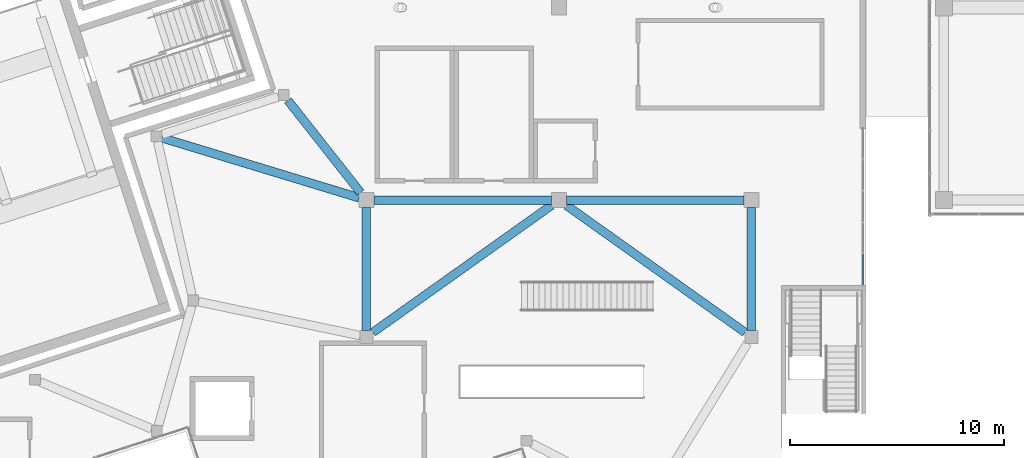
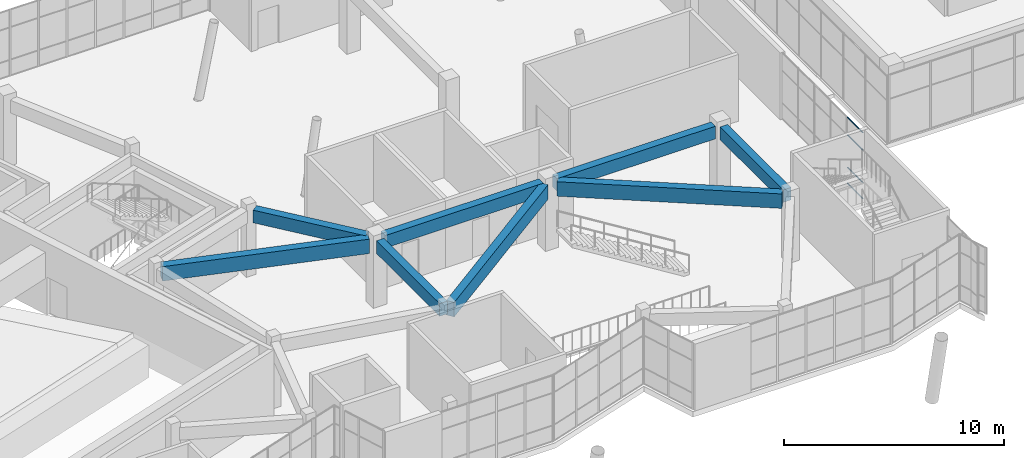
# One storey, part 13 of 66: 8 beams, 4 members, 1 element without a shape of its own.
"""IFC4 building model written with IfcOpenShell, lengths in metres."""

from ifc_helpers import new_model, si_unit, direction, frame, origin, origin_2d, place, context, subcontext, project, spatial, rectangle, hollow_rectangle, extrude, material, layer, layer_set, material_profile, profile_set, type_object, element, aggregate, save


model = new_model("IFC4")

# Units and contexts
model_context = context("Model", 3, precision=1e-05, world=origin(), true_north=direction((0.0, 1.0)))
body_context = subcontext(model_context, "Body", "Model", "MODEL_VIEW")
ifc_project = project(units=[si_unit("LENGTHUNIT", "METRE"), si_unit("AREAUNIT", "SQUARE_METRE"), si_unit("VOLUMEUNIT", "CUBIC_METRE"), si_unit("PLANEANGLEUNIT", "RADIAN"), si_unit("MASSUNIT", "GRAM", prefix="KILO")], contexts=[model_context])

# Site, building, storey
site_placement = place(None, origin())
site = spatial("IfcSite", under=ifc_project, at=site_placement, CompositionType="ELEMENT")
building_placement = place(site_placement, origin())
building = spatial("IfcBuilding", under=site, at=building_placement, Name="Tuart Plaza Theatre", CompositionType="ELEMENT")
storey_placement = place(building_placement, frame((0.0, 0.0, 5.5)))
storey = spatial("IfcBuildingStorey", under=building, at=storey_placement, Name="L01", CompositionType="ELEMENT", Elevation=5.5)

# Beams
ifc_material_1 = material(Name="Concrete N40 (40 MPa)", Category="concrete")
ifc_material_profile_1 = material_profile(ifc_material_1, rectangle(XDim=0.39990234375, YDim=0.699951171875, at=origin_2d()), Name="BEAM 400x700 Concrete N40 (40 MPa)")
ifc_profile_set_1 = profile_set([ifc_material_profile_1], Name="Concrete N40 (40 MPa)")
beam_type_1 = type_object("IfcBeamType", Name="BEAM 400x700 Concrete N40 (40 MPa)", PredefinedType="BEAM", material=ifc_profile_set_1)
beam_1_placement = place(storey_placement, frame((87.35009765625, 56.0, 3.35009765625), z_axis=(1.0, 0.0, 0.0), x_axis=(0.0, 1.0, 0.0)))
element("IfcBeam", 1, at=beam_1_placement, inside=storey, type_object=beam_type_1, Name="RB455", PredefinedType="BEAM", context=body_context, shape_type="SweptSolid", body=[
    extrude(rectangle(XDim=0.39990234375, YDim=0.699951171875, at=origin_2d()), origin(), (0.0, 0.0, 1.0), 8.2998046875),
])
beam_2_placement = place(storey_placement, frame((86.72412109375, 56.35009765625, 3.35009765625), z_axis=(-0.619025268414, 0.785371069664, 0.0), x_axis=(-0.785371069664, -0.619025268414, 0.0)))
element("IfcBeam", 2, at=beam_2_placement, inside=storey, type_object=beam_type_1, Name="RB457", PredefinedType="BEAM", context=body_context, shape_type="SweptSolid", body=[
    extrude(rectangle(XDim=0.39990234375, YDim=0.699951171875, at=origin_2d()), origin(), (0.0, 0.0, 1.0), 5.487548828125),
])
beam_3_placement = place(storey_placement, frame((87.0, 55.64990234375, 3.35009765625), z_axis=(0.0, -1.0, 0.0), x_axis=(1.0, 0.0, 0.0)))
element("IfcBeam", 3, at=beam_3_placement, inside=storey, type_object=beam_type_1, Name="RB458", PredefinedType="BEAM", context=body_context, shape_type="SweptSolid", body=[
    extrude(rectangle(XDim=0.39990234375, YDim=0.699951171875, at=origin_2d()), origin(), (0.0, 0.0, 1.0), 5.75),
])
beam_4_placement = place(storey_placement, frame((96.35009765625, 56.0, 3.35009765625), z_axis=(1.0, 0.0, 0.0), x_axis=(0.0, 1.0, 0.0)))
element("IfcBeam", 4, at=beam_4_placement, inside=storey, type_object=beam_type_1, Name="RB459", PredefinedType="BEAM", context=body_context, shape_type="SweptSolid", body=[
    extrude(rectangle(XDim=0.39990234375, YDim=0.699951171875, at=origin_2d()), origin(), (0.0, 0.0, 1.0), 8.2998046875),
])
beam_5_placement = place(storey_placement, frame((105.0, 55.64990234375, 3.35009765625), z_axis=(0.0, -1.0, 0.0), x_axis=(1.0, 0.0, 0.0)))
element("IfcBeam", 5, at=beam_5_placement, inside=storey, type_object=beam_type_1, Name="RB463", PredefinedType="BEAM", context=body_context, shape_type="SweptSolid", body=[
    extrude(rectangle(XDim=0.39990234375, YDim=0.699951171875, at=origin_2d()), origin(), (0.0, 0.0, 1.0), 5.75),
])
ifc_material_2 = material(Name="Concrete N40 (40 MPa)", Category="concrete")
ifc_material_profile_2 = material_profile(ifc_material_2, rectangle(XDim=0.39990234375, YDim=0.800048828125, at=origin_2d()), Name="BEAM 400x800 Concrete N40 (40 MPa)")
ifc_profile_set_2 = profile_set([ifc_material_profile_2], Name="Concrete N40 (40 MPa)")
beam_type_2 = type_object("IfcBeamType", Name="BEAM 400x800 Concrete N40 (40 MPa)", PredefinedType="BEAM", material=ifc_profile_set_2)
beam_6_placement = place(storey_placement, frame((86.64990234375, 56.1064453125, 3.300048828125), z_axis=(-0.956748419242, 0.290916589897, 0.0), x_axis=(-0.290916589897, -0.956748419242, 0.0)))
element("IfcBeam", 6, at=beam_6_placement, inside=storey, type_object=beam_type_2, Name="RB456", PredefinedType="BEAM", context=body_context, shape_type="SweptSolid", body=[
    extrude(rectangle(XDim=0.39990234375, YDim=0.800048828125, at=origin_2d()), origin(), (0.0, 0.0, 1.0), 9.635009765625),
])
for number, where, z_axis, x_axis, name in (
    (7, (95.64990234375, 55.751220703125, 3.300048828125), (-0.814940819645, -0.579544183369, 0.0), (0.579544183369, -0.814940819645, 0.0), "RB460"),
    (8, (96.35009765625, 55.751220703125, 3.300048828125), (0.814940819645, -0.579544183369, 0.0), (0.579544183369, 0.814940819645, 0.0), "RB461"),
):
    element("IfcBeam", number, at=place(storey_placement, frame(where, z_axis=z_axis, x_axis=x_axis)), inside=storey, type_object=beam_type_2, Name=name, PredefinedType="BEAM", context=body_context, shape_type="SweptSolid", body=[
        extrude(rectangle(XDim=0.39990234375, YDim=0.800048828125, at=origin_2d()), origin(), (0.0, 0.0, 1.0), 10.245849609375),
    ])

# Curtain wall, members
ifc_material_3 = material(Name="Aluminium and glass", Category="aluminium")
ifc_layer = layer(ifc_material_3, 0.10009765625)
ifc_layer_set = layer_set([ifc_layer], Name="CURTAIN WALL 1500 module")
curtain_wall_type = type_object("IfcCurtainWallType", Name="CURTAIN WALL 1500 module", PredefinedType="NOTDEFINED", material=ifc_layer_set)
curtain_wall_placement = place(storey_placement, origin())
curtain_wall = element("IfcCurtainWall", 9, at=curtain_wall_placement, inside=storey, type_object=curtain_wall_type, Name="CW22", PredefinedType="NOTDEFINED")
ifc_material_4 = material(Name="Aluminium 6063-T5", Category="aluminium")
ifc_material_profile_3 = material_profile(ifc_material_4, hollow_rectangle(XDim=0.050048828125, YDim=0.050048828125, WallThickness=0.00390625, InnerFilletRadius=0.00390625, OuterFilletRadius=0.008056640625, at=origin_2d()), Name="RHS 50x50x4")
ifc_profile_set_3 = profile_set([ifc_material_profile_3], Name="Aluminium 6063-T5")
member_type = type_object("IfcMemberType", Name="TRANSOM RHS 50x50x4", PredefinedType="USERDEFINED", material=ifc_profile_set_3)
member_1_placement = place(storey_placement, frame((110.212890625, 52.050048828125, 0.02490234375), z_axis=(0.0, 1.0, 0.0), x_axis=(-1.0, 0.0, 0.0)))
member_1 = element("IfcMember", 10, at=member_1_placement, type_object=member_type, Name="CW22 transom 1.1", ObjectType="TRANSOM", PredefinedType="USERDEFINED", context=body_context, shape_type="SweptSolid", body=[
    extrude(hollow_rectangle(XDim=0.050048828125, YDim=0.050048828125, WallThickness=0.00390625, InnerFilletRadius=0.00390625, OuterFilletRadius=0.008056640625, at=origin_2d()), origin(), (0.0, 0.0, 1.0), 1.405029296875),
])
member_2_placement = place(storey_placement, frame((110.212890625, 52.050048828125, 0.89990234375), z_axis=(0.0, 1.0, 0.0), x_axis=(-1.0, 0.0, 0.0)))
member_2 = element("IfcMember", 11, at=member_2_placement, type_object=member_type, Name="CW22 transom 1.2", ObjectType="TRANSOM", PredefinedType="USERDEFINED", context=body_context, shape_type="SweptSolid", body=[
    extrude(hollow_rectangle(XDim=0.050048828125, YDim=0.050048828125, WallThickness=0.00390625, InnerFilletRadius=0.00390625, OuterFilletRadius=0.008056640625, at=origin_2d()), origin(), (0.0, 0.0, 1.0), 1.405029296875),
])
member_3_placement = place(storey_placement, frame((110.212890625, 52.050048828125, 2.699951171875), z_axis=(0.0, 1.0, 0.0), x_axis=(-1.0, 0.0, 0.0)))
member_3 = element("IfcMember", 12, at=member_3_placement, type_object=member_type, Name="CW22 transom 1.3", ObjectType="TRANSOM", PredefinedType="USERDEFINED", context=body_context, shape_type="SweptSolid", body=[
    extrude(hollow_rectangle(XDim=0.050048828125, YDim=0.050048828125, WallThickness=0.00390625, InnerFilletRadius=0.00390625, OuterFilletRadius=0.008056640625, at=origin_2d()), origin(), (0.0, 0.0, 1.0), 1.405029296875),
])
member_4_placement = place(storey_placement, frame((110.212890625, 52.050048828125, 3.675048828125), z_axis=(0.0, 1.0, 0.0), x_axis=(-1.0, 0.0, 0.0)))
member_4 = element("IfcMember", 13, at=member_4_placement, type_object=member_type, Name="CW22 transom 1.4", ObjectType="TRANSOM", PredefinedType="USERDEFINED", context=body_context, shape_type="SweptSolid", body=[
    extrude(hollow_rectangle(XDim=0.050048828125, YDim=0.050048828125, WallThickness=0.00390625, InnerFilletRadius=0.00390625, OuterFilletRadius=0.008056640625, at=origin_2d()), origin(), (0.0, 0.0, 1.0), 1.405029296875),
])
aggregate(curtain_wall, [member_1, member_2, member_3, member_4])

save(model, "model.ifc")
